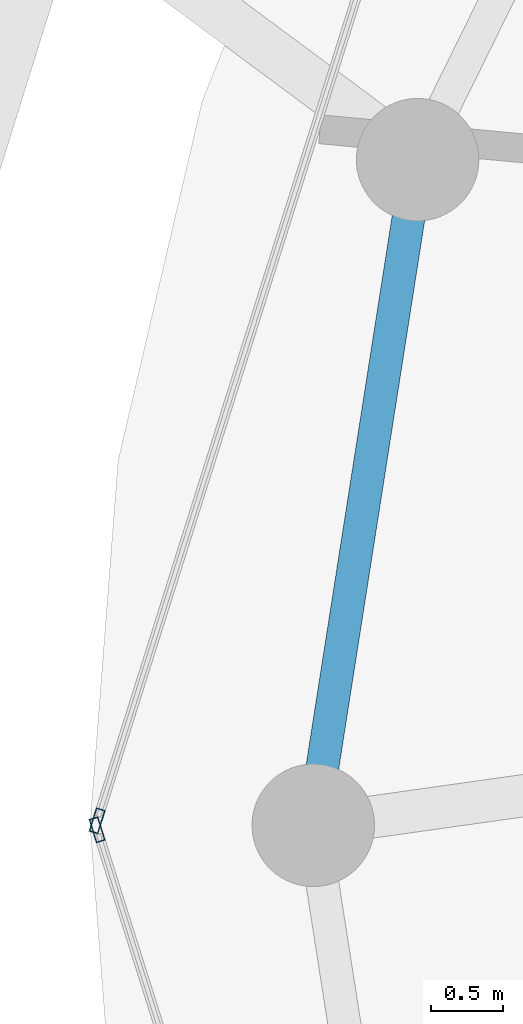
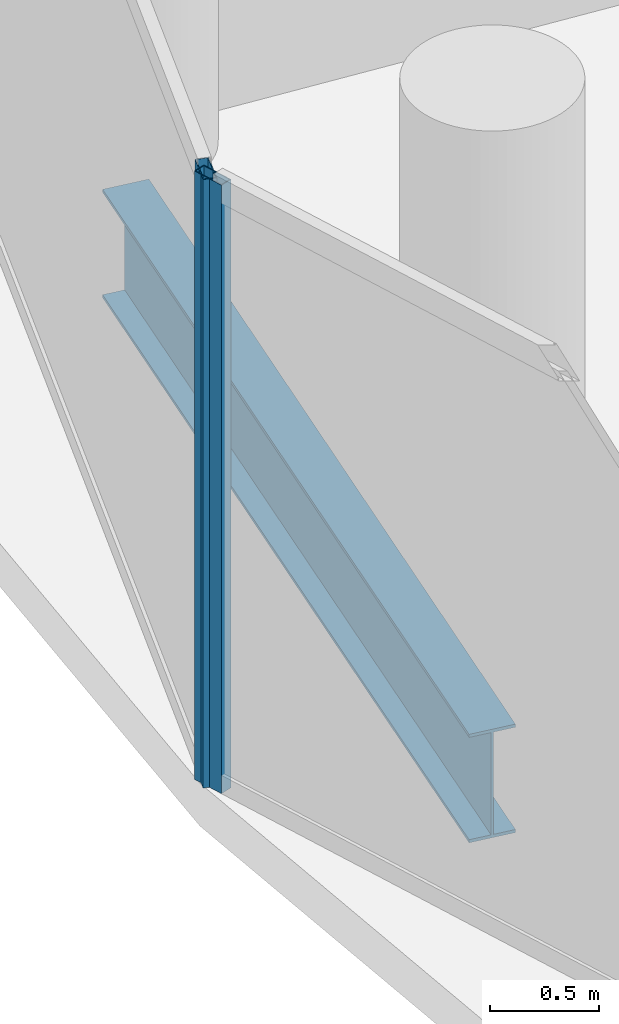
# One storey, part 7 of 27: 2 members, 1 beam, 2 elements without a shape of their own.
"""IFC4 building model written with IfcOpenShell, lengths in metres."""

from ifc_helpers import new_model, si_unit, direction, frame, origin, origin_2d, place, context, subcontext, project, spatial, hollow_rectangle, i_section, extrude, material, layer, layer_set, material_profile, profile_set, type_object, element, aggregate, save


model = new_model("IFC4")

# Units and contexts
model_context = context("Model", 3, precision=1e-05, world=origin(), true_north=direction((0.0, 1.0)))
body_context = subcontext(model_context, "Body", "Model", "MODEL_VIEW")
ifc_project = project(units=[si_unit("LENGTHUNIT", "METRE"), si_unit("AREAUNIT", "SQUARE_METRE"), si_unit("VOLUMEUNIT", "CUBIC_METRE"), si_unit("PLANEANGLEUNIT", "RADIAN"), si_unit("MASSUNIT", "GRAM", prefix="KILO")], contexts=[model_context])

# Site, building, storey
site_placement = place(None, origin())
site = spatial("IfcSite", under=ifc_project, at=site_placement, CompositionType="ELEMENT")
building_placement = place(site_placement, origin())
building = spatial("IfcBuilding", under=site, at=building_placement, Name="Nuhasar Tower", CompositionType="ELEMENT")
storey_placement = place(building_placement, frame((0.0, 0.0, 248.300048828125)))
storey = spatial("IfcBuildingStorey", under=building, at=storey_placement, Name="L61", CompositionType="ELEMENT", Elevation=248.300048828125)

# Beam
ifc_material_1 = material(Name="Steel S355", Category="steel")
ifc_material_profile_1 = material_profile(ifc_material_1, i_section(OverallWidth=0.22802734375, OverallDepth=0.60791015625, WebThickness=0.01123046875, FlangeThickness=0.017333984375, at=origin_2d()), Name="W24X76")
ifc_profile_set_1 = profile_set([ifc_material_profile_1], Name="Steel S355")
beam_type = type_object("IfcBeamType", Name="BM-RING-W24X76", PredefinedType="SPANDREL", material=ifc_profile_set_1)
beam_placement = place(storey_placement, frame((18.47412109375, 31.419921875, -0.5439453125), z_axis=(-0.154849872935, -0.987938012657, 0.0), x_axis=(0.987938012657, -0.154849872935, 0.0)))
element("IfcBeam", 1, at=beam_placement, inside=storey, type_object=beam_type, Name="L61 Perimeter Ring Spandrel 12", PredefinedType="SPANDREL", context=body_context, shape_type="SweptSolid", body=[
    extrude(i_section(OverallWidth=0.22802734375, OverallDepth=0.60791015625, WebThickness=0.01123046875, FlangeThickness=0.017333984375, at=origin_2d()), origin(), (0.0, 0.0, 1.0), 4.67626953125),
])

# Curtain wall, member
ifc_material_2 = material(Name="Aluminium 6063-T6", Category="aluminium")
ifc_layer = layer(ifc_material_2, 0.18994140625)
ifc_layer_set = layer_set([ifc_layer], Name="Aluminium 6063-T6")
curtain_wall_type = type_object("IfcCurtainWallType", Name="CW-Z3-RES", PredefinedType="NOTDEFINED", material=ifc_layer_set)
curtain_wall_1_placement = place(storey_placement, origin())
curtain_wall_1 = element("IfcCurtainWall", 2, at=curtain_wall_1_placement, inside=storey, type_object=curtain_wall_type, Name="L61 Unitised Curtain Wall 06", PredefinedType="NOTDEFINED")
ifc_material_profile_2 = material_profile(ifc_material_2, hollow_rectangle(XDim=0.06494140625, YDim=0.169921875, WallThickness=0.0048828125, at=origin_2d()), Name="CWM-4")
ifc_profile_set_2 = profile_set([ifc_material_profile_2], Name="Aluminium 6063-T6")
member_type = type_object("IfcMemberType", Name="CW-MUL-S4", PredefinedType="MULLION", material=ifc_profile_set_2)
member_1_placement = place(storey_placement, frame((16.249755859375, 26.8310546875, 0.0), z_axis=(0.0, 0.0, 1.0), x_axis=(0.95380429279, -0.30042864553, 0.0)))
member_1 = element("IfcMember", 3, at=member_1_placement, type_object=member_type, Name="CW-Z3 mullion 2", PredefinedType="MULLION", context=body_context, shape_type="SweptSolid", body=[
    extrude(hollow_rectangle(XDim=0.06494140625, YDim=0.169921875, WallThickness=0.0048828125, at=origin_2d()), origin(), (0.0, 0.0, 1.0), 3.409912109375),
])
aggregate(curtain_wall_1, [member_1])

curtain_wall_2_placement = place(storey_placement, origin())
curtain_wall_2 = element("IfcCurtainWall", 4, at=curtain_wall_2_placement, inside=storey, type_object=curtain_wall_type, Name="L61 Unitised Curtain Wall 07", PredefinedType="NOTDEFINED")
member_2_placement = place(storey_placement, frame((16.249755859375, 26.76904296875, 0.0), z_axis=(0.0, 0.0, 1.0), x_axis=(0.95380429279, 0.30042864553, 0.0)))
member_2 = element("IfcMember", 5, at=member_2_placement, type_object=member_type, Name="CW-Z3 mullion 1", PredefinedType="MULLION", context=body_context, shape_type="SweptSolid", body=[
    extrude(hollow_rectangle(XDim=0.06494140625, YDim=0.169921875, WallThickness=0.0048828125, at=origin_2d()), origin(), (0.0, 0.0, 1.0), 3.409912109375),
])
aggregate(curtain_wall_2, [member_2])

save(model, "model.ifc")
